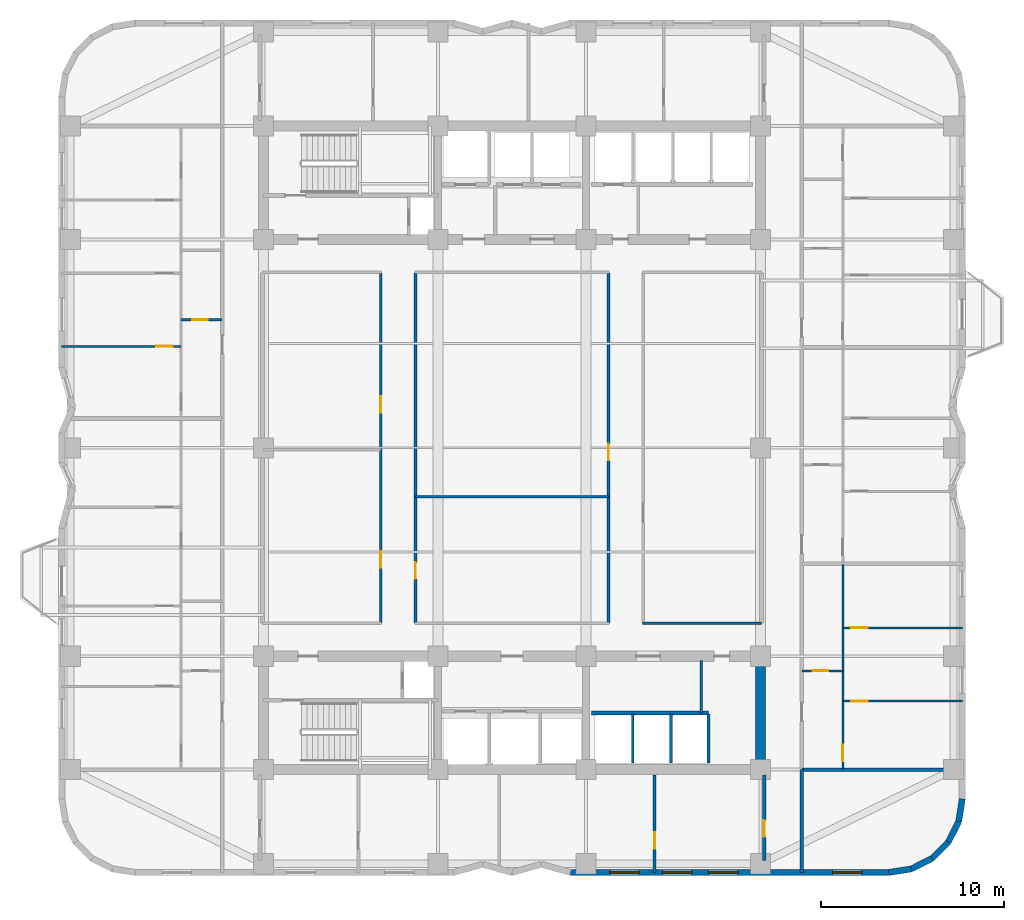
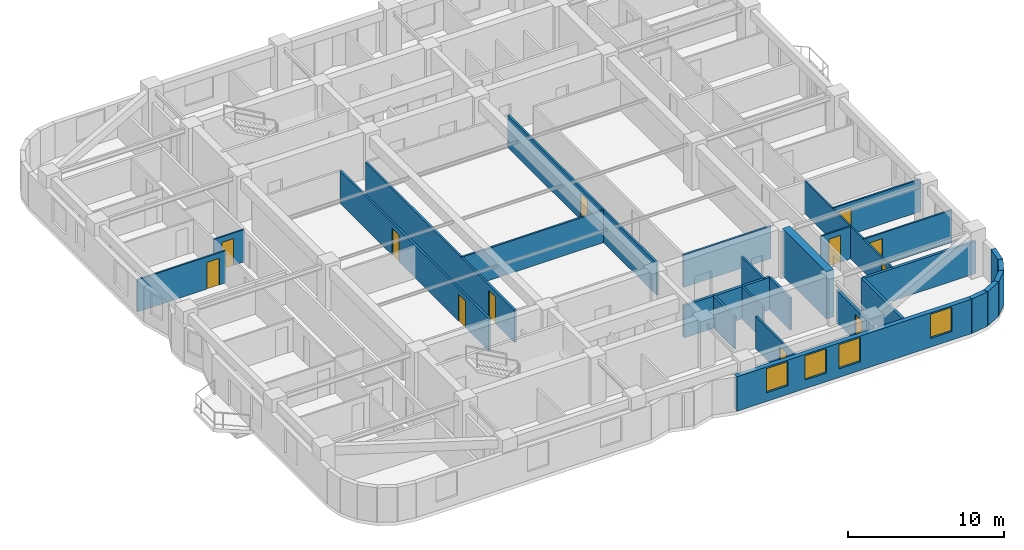
# One storey, part 4 of 9: 27 walls, 12 doors, 4 windows, 16 openings.
"""IFC4 building model written with IfcOpenShell, lengths in metres."""

from ifc_helpers import new_model, si_unit, direction, frame, frame_2d, origin, place, context, subcontext, project, spatial, rectangle, extrude, material, layer, layer_set, type_object, element, fill, save


model = new_model("IFC4")

# Units and contexts
model_context = context("Model", 3, precision=1e-05, world=origin(), true_north=direction((0.0, 1.0)))
body_context = subcontext(model_context, "Body", "Model", "MODEL_VIEW")
ifc_project = project(units=[si_unit("LENGTHUNIT", "METRE"), si_unit("AREAUNIT", "SQUARE_METRE"), si_unit("VOLUMEUNIT", "CUBIC_METRE"), si_unit("PLANEANGLEUNIT", "RADIAN"), si_unit("MASSUNIT", "GRAM", prefix="KILO")], contexts=[model_context])

# Site, building, storey
site_placement = place(None, origin())
site = spatial("IfcSite", under=ifc_project, at=site_placement, CompositionType="ELEMENT")
building_placement = place(site_placement, origin())
building = spatial("IfcBuilding", under=site, at=building_placement, Name="Svetorya Sky Lyceum", CompositionType="ELEMENT")
storey_placement = place(building_placement, frame((0.0, 0.0, 88.300048828125)))
storey = spatial("IfcBuildingStorey", under=building, at=storey_placement, Name="L21", CompositionType="ELEMENT", Elevation=88.300048828125)

# Wall
ifc_material_1 = material(Name="Concrete C60/75", Category="concrete")
ifc_layer_1 = layer(ifc_material_1, 0.550048828125)
ifc_layer_set_1 = layer_set([ifc_layer_1], Name="Concrete C60/75")
wall_type_1 = type_object("IfcWallType", Name="WL-CORE-550", PredefinedType="SHEAR", material=ifc_layer_set_1)
wall_1_placement = place(storey_placement, frame((52.800048828125, 10.875, 0.0), z_axis=(0.0, 0.0, 1.0), x_axis=(0.0, 1.0, 0.0)))
element("IfcWall", 1, at=wall_1_placement, inside=storey, type_object=wall_type_1, Name="L21 SC East Core Shear Wall", PredefinedType="SHEAR", context=body_context, shape_type="SweptSolid", body=[
    extrude(rectangle(XDim=5.64990234375, YDim=0.550048828125, at=frame_2d((2.824951171875, 0.0))), origin(), (0.0, 0.0, 1.0), 3.699951171875),
])

# Wall, openings, windows
ifc_material_2 = material(Name="Putilovo limestone rainscreen on autoclaved cellular masonry", Category="masonry")
ifc_layer_2 = layer(ifc_material_2, 0.340087890625)
ifc_layer_set_2 = layer_set([ifc_layer_2], Name="Putilovo limestone rainscreen on autoclaved cellular masonry")
wall_type_2 = type_object("IfcWallType", Name="WL-EXT-340", PredefinedType="SOLIDWALL", material=ifc_layer_set_2)
wall_2_placement = place(storey_placement, frame((42.39990234375, 4.969970703125, 0.0), z_axis=(0.0, 0.0, 1.0), x_axis=(1.0, 0.0, 0.0)))
wall_2 = element("IfcWall", 2, at=wall_2_placement, inside=storey, type_object=wall_type_2, Name="L21 Limestone Exterior Wall 11M", PredefinedType="SOLIDWALL", context=body_context, shape_type="SweptSolid", body=[
    extrude(rectangle(XDim=17.400146484375, YDim=0.340087890625, at=frame_2d((8.7001953125, 0.0))), origin(), (0.0, 0.0, 1.0), 2.699951171875),
])
opening_1_placement = place(wall_2_placement, frame((2.159912109375, 0.0, 0.679931640625)))
opening_1 = element("IfcOpeningElement", 3, at=opening_1_placement, cuts=wall_2, Name="Opening W-R4", PredefinedType="OPENING", context=body_context, shape_type="SweptSolid", body=[
    extrude(rectangle(XDim=1.60009765625, YDim=1.89990234375, at=frame_2d((0.800048828125, 0.949951171875))), frame((0.0, 0.179931640625, 0.0), z_axis=(0.0, -1.0, 0.0), x_axis=(1.0, 0.0, 0.0)), (0.0, 0.0, 1.0), 0.360107421875),
])
opening_2_placement = place(wall_2_placement, frame((5.030029296875, 0.0, 0.679931640625)))
opening_2 = element("IfcOpeningElement", 4, at=opening_2_placement, cuts=wall_2, Name="Opening W-R4", PredefinedType="OPENING", context=body_context, shape_type="SweptSolid", body=[
    extrude(rectangle(XDim=1.60009765625, YDim=1.89990234375, at=frame_2d((0.800048828125, 0.949951171875))), frame((0.0, 0.179931640625, 0.0), z_axis=(0.0, -1.0, 0.0), x_axis=(1.0, 0.0, 0.0)), (0.0, 0.0, 1.0), 0.360107421875),
])
opening_3_placement = place(wall_2_placement, frame((7.550048828125, 0.0, 0.679931640625)))
opening_3 = element("IfcOpeningElement", 5, at=opening_3_placement, cuts=wall_2, Name="Opening W-R4", PredefinedType="OPENING", context=body_context, shape_type="SweptSolid", body=[
    extrude(rectangle(XDim=1.60009765625, YDim=1.89990234375, at=frame_2d((0.800048828125, 0.949951171875))), frame((0.0, 0.179931640625, 0.0), z_axis=(0.0, -1.0, 0.0), x_axis=(1.0, 0.0, 0.0)), (0.0, 0.0, 1.0), 0.360107421875),
])
opening_4_placement = place(wall_2_placement, frame((14.340087890625, 0.0, 0.679931640625)))
opening_4 = element("IfcOpeningElement", 6, at=opening_4_placement, cuts=wall_2, Name="Opening W-R4", PredefinedType="OPENING", context=body_context, shape_type="SweptSolid", body=[
    extrude(rectangle(XDim=1.60009765625, YDim=1.89990234375, at=frame_2d((0.800048828125, 0.949951171875))), frame((0.0, 0.179931640625, 0.0), z_axis=(0.0, -1.0, 0.0), x_axis=(1.0, 0.0, 0.0)), (0.0, 0.0, 1.0), 0.360107421875),
])
ifc_material_3 = material(Name="Thermally broken aluminium frame with triple low-E glazing", Category="aluminium")
window_type = type_object("IfcWindowType", Name="WN-RES-160", PartitioningType="DOUBLE_PANEL_VERTICAL", PredefinedType="WINDOW", material=ifc_material_3)
window_1_placement = place(opening_1_placement, origin())
window_1 = element("IfcWindow", 7, at=window_1_placement, inside=storey, type_object=window_type, Name="L21 Facade Window W-R4.11M.1", OverallHeight=1.89990234375, OverallWidth=1.60009765625, PartitioningType="SINGLE_PANEL", PredefinedType="WINDOW", context=body_context, shape_type="SweptSolid", body=[
    extrude(rectangle(XDim=1.60009765625, YDim=1.89990234375, at=frame_2d((0.800048828125, 0.949951171875))), frame((0.0, 0.030029296875, 0.0), z_axis=(0.0, -1.0, 0.0), x_axis=(1.0, 0.0, 0.0)), (0.0, 0.0, 1.0), 0.06005859375),
])
fill(opening_1, window_1)
window_2_placement = place(opening_2_placement, origin())
window_2 = element("IfcWindow", 8, at=window_2_placement, inside=storey, type_object=window_type, Name="L21 Facade Window W-R4.11M.2", OverallHeight=1.89990234375, OverallWidth=1.60009765625, PartitioningType="SINGLE_PANEL", PredefinedType="WINDOW", context=body_context, shape_type="SweptSolid", body=[
    extrude(rectangle(XDim=1.60009765625, YDim=1.89990234375, at=frame_2d((0.800048828125, 0.949951171875))), frame((0.0, 0.030029296875, 0.0), z_axis=(0.0, -1.0, 0.0), x_axis=(1.0, 0.0, 0.0)), (0.0, 0.0, 1.0), 0.06005859375),
])
fill(opening_2, window_2)
window_3_placement = place(opening_3_placement, origin())
window_3 = element("IfcWindow", 9, at=window_3_placement, inside=storey, type_object=window_type, Name="L21 Facade Window W-R4.11M.3", OverallHeight=1.89990234375, OverallWidth=1.60009765625, PartitioningType="SINGLE_PANEL", PredefinedType="WINDOW", context=body_context, shape_type="SweptSolid", body=[
    extrude(rectangle(XDim=1.60009765625, YDim=1.89990234375, at=frame_2d((0.800048828125, 0.949951171875))), frame((0.0, 0.030029296875, 0.0), z_axis=(0.0, -1.0, 0.0), x_axis=(1.0, 0.0, 0.0)), (0.0, 0.0, 1.0), 0.06005859375),
])
fill(opening_3, window_3)
window_4_placement = place(opening_4_placement, origin())
window_4 = element("IfcWindow", 10, at=window_4_placement, inside=storey, type_object=window_type, Name="L21 Facade Window W-R4.11M.4", OverallHeight=1.89990234375, OverallWidth=1.60009765625, PartitioningType="SINGLE_PANEL", PredefinedType="WINDOW", context=body_context, shape_type="SweptSolid", body=[
    extrude(rectangle(XDim=1.60009765625, YDim=1.89990234375, at=frame_2d((0.800048828125, 0.949951171875))), frame((0.0, 0.030029296875, 0.0), z_axis=(0.0, -1.0, 0.0), x_axis=(1.0, 0.0, 0.0)), (0.0, 0.0, 1.0), 0.06005859375),
])
fill(opening_4, window_4)

# Walls
wall_3_placement = place(storey_placement, frame((59.800048828125, 4.969970703125, 0.0), z_axis=(0.0, 0.0, 1.0), x_axis=(0.987685918112, 0.15644975923, 0.0)))
element("IfcWall", 11, at=wall_3_placement, inside=storey, type_object=wall_type_2, Name="L21 Limestone Exterior Wall 12M", PredefinedType="SOLIDWALL", context=body_context, shape_type="SweptSolid", body=[
    extrude(rectangle(XDim=1.260986328125, YDim=0.340087890625, at=frame_2d((0.63037109375, 0.0))), origin(), (0.0, 0.0, 1.0), 2.699951171875),
])
for number, where, z_axis, x_axis, name in (
    (12, (61.04541015625, 5.167236328125, 0.0), (0.0, 0.0, 1.0), (0.890953769915, 0.454094020963, 0.0), "L21 Limestone Exterior Wall 13M"),
    (13, (62.168701171875, 5.73974609375, 0.0), (0.0, 0.0, 1.0), (0.707203598708, 0.707009950407, 0.0), "L21 Limestone Exterior Wall 14M"),
):
    element("IfcWall", number, at=place(storey_placement, frame(where, z_axis=z_axis, x_axis=x_axis)), inside=storey, type_object=wall_type_2, Name=name, PredefinedType="SOLIDWALL", context=body_context, shape_type="SweptSolid", body=[
        extrude(rectangle(XDim=1.2607421875, YDim=0.340087890625, at=frame_2d((0.63037109375, 0.0))), origin(), (0.0, 0.0, 1.0), 2.699951171875),
    ])
for number, where, z_axis, x_axis, name in (
    (14, (63.060302734375, 6.631103515625, 0.0), (0.0, 0.0, 1.0), (0.454015689056, 0.890993689142, 0.0), "L21 Limestone Exterior Wall 15M"),
    (15, (63.6328125, 7.754638671875, 0.0), (0.0, 0.0, 1.0), (0.15644975923, 0.987685918112, 0.0), "L21 Limestone Exterior Wall 16M"),
):
    element("IfcWall", number, at=place(storey_placement, frame(where, z_axis=z_axis, x_axis=x_axis)), inside=storey, type_object=wall_type_2, Name=name, PredefinedType="SOLIDWALL", context=body_context, shape_type="SweptSolid", body=[
        extrude(rectangle(XDim=1.260986328125, YDim=0.340087890625, at=frame_2d((0.63037109375, 0.0))), origin(), (0.0, 0.0, 1.0), 2.699951171875),
    ])

# Wall, opening, door
ifc_material_4 = material(Name="Twin-stud galvanized framing with double fireboard", Category="gypsum")
ifc_layer_3 = layer(ifc_material_4, 0.1201171875)
ifc_layer_set_3 = layer_set([ifc_layer_3], Name="Twin-stud galvanized framing with double fireboard")
wall_type_3 = type_object("IfcWallType", Name="WL-PART-120", PredefinedType="PARTITIONING", material=ifc_layer_set_3)
wall_4_placement = place(storey_placement, frame((21.10009765625, 35.199951171875, 0.0), z_axis=(0.0, 0.0, 1.0), x_axis=(1.0, 0.0, 0.0)))
wall_4 = element("IfcWall", 16, at=wall_4_placement, inside=storey, type_object=wall_type_3, Name="L21 Interior Partition W2-WH1", PredefinedType="PARTITIONING", context=body_context, shape_type="SweptSolid", body=[
    extrude(rectangle(XDim=2.25, YDim=0.1201171875, at=frame_2d((1.125, 0.0))), origin(), (0.0, 0.0, 1.0), 2.530029296875),
])
opening_5_placement = place(wall_4_placement, frame((0.60009765625, 0.0, 0.0)))
opening_5 = element("IfcOpeningElement", 17, at=opening_5_placement, cuts=wall_4, Name="Opening D-BT1", PredefinedType="OPENING", context=body_context, shape_type="SweptSolid", body=[
    extrude(rectangle(XDim=0.85009765625, YDim=2.10009765625, at=frame_2d((0.425048828125, 1.050048828125))), frame((0.0, 0.070068359375, 0.0), z_axis=(0.0, -1.0, 0.0), x_axis=(1.0, 0.0, 0.0)), (0.0, 0.0, 1.0), 0.14013671875),
])
ifc_material_5 = material(Name="Moisture-resistant laminate bathroom door")
door_type_1 = type_object("IfcDoorType", Name="DR-WET-850", OperationType="SINGLE_SWING_LEFT", PredefinedType="DOOR", material=ifc_material_5)
door_1_placement = place(opening_5_placement, origin())
door_1 = element("IfcDoor", 18, at=door_1_placement, inside=storey, type_object=door_type_1, Name="Apartment W2 Bathroom Door", OperationType="SINGLE_SWING_RIGHT", OverallHeight=2.10009765625, OverallWidth=0.85009765625, PredefinedType="DOOR", context=body_context, shape_type="SweptSolid", body=[
    extrude(rectangle(XDim=0.85009765625, YDim=2.10009765625, at=frame_2d((0.425048828125, 1.050048828125))), frame((0.0, 0.02490234375, 0.0), z_axis=(0.0, -1.0, 0.0), x_axis=(1.0, 0.0, 0.0)), (0.0, 0.0, 1.0), 0.050048828125),
])
fill(opening_5, door_1)

wall_5_placement = place(storey_placement, frame((14.570068359375, 33.75, 0.0), z_axis=(0.0, 0.0, 1.0), x_axis=(1.0, 0.0, 0.0)))
wall_5 = element("IfcWall", 19, at=wall_5_placement, inside=storey, type_object=wall_type_3, Name="L21 Interior Partition W2-WL1", PredefinedType="PARTITIONING", context=body_context, shape_type="SweptSolid", body=[
    extrude(rectangle(XDim=6.530029296875, YDim=0.1201171875, at=frame_2d((3.26513671875, 0.0))), origin(), (0.0, 0.0, 1.0), 2.530029296875),
])
opening_6_placement = place(wall_5_placement, frame((5.179931640625, 0.0, 0.0)))
opening_6 = element("IfcOpeningElement", 20, at=opening_6_placement, cuts=wall_5, Name="Opening D-RM1", PredefinedType="OPENING", context=body_context, shape_type="SweptSolid", body=[
    extrude(rectangle(XDim=0.89990234375, YDim=2.10009765625, at=frame_2d((0.449951171875, 1.050048828125))), frame((0.0, 0.070068359375, 0.0), z_axis=(0.0, -1.0, 0.0), x_axis=(1.0, 0.0, 0.0)), (0.0, 0.0, 1.0), 0.14013671875),
])
ifc_material_6 = material(Name="Lacquered birch veneer internal door")
door_type_2 = type_object("IfcDoorType", Name="DR-INT-900", OperationType="SINGLE_SWING_LEFT", PredefinedType="DOOR", material=ifc_material_6)
door_2_placement = place(opening_6_placement, origin())
door_2 = element("IfcDoor", 21, at=door_2_placement, inside=storey, type_object=door_type_2, Name="Apartment W2 Master Bedroom Door", OperationType="SINGLE_SWING_RIGHT", OverallHeight=2.10009765625, OverallWidth=0.89990234375, PredefinedType="DOOR", context=body_context, shape_type="SweptSolid", body=[
    extrude(rectangle(XDim=0.89990234375, YDim=2.10009765625, at=frame_2d((0.449951171875, 1.050048828125))), frame((0.0, 0.02490234375, 0.0), z_axis=(0.0, -1.0, 0.0), x_axis=(1.0, 0.0, 0.0)), (0.0, 0.0, 1.0), 0.050048828125),
])
fill(opening_6, door_2)

wall_6_placement = place(storey_placement, frame((55.050048828125, 16.0, 0.0), z_axis=(0.0, 0.0, 1.0), x_axis=(1.0, 0.0, 0.0)))
wall_6 = element("IfcWall", 22, at=wall_6_placement, inside=storey, type_object=wall_type_3, Name="L21 Interior Partition E1-WH1", PredefinedType="PARTITIONING", context=body_context, shape_type="SweptSolid", body=[
    extrude(rectangle(XDim=2.25, YDim=0.1201171875, at=frame_2d((1.125, 0.0))), origin(), (0.0, 0.0, 1.0), 2.530029296875),
])
opening_7_placement = place(wall_6_placement, frame((0.60009765625, 0.0, 0.0)))
opening_7 = element("IfcOpeningElement", 23, at=opening_7_placement, cuts=wall_6, Name="Opening D-BT1", PredefinedType="OPENING", context=body_context, shape_type="SweptSolid", body=[
    extrude(rectangle(XDim=0.85009765625, YDim=2.10009765625, at=frame_2d((0.425048828125, 1.050048828125))), frame((0.0, 0.070068359375, 0.0), z_axis=(0.0, -1.0, 0.0), x_axis=(1.0, 0.0, 0.0)), (0.0, 0.0, 1.0), 0.14013671875),
])
door_3_placement = place(opening_7_placement, origin())
door_3 = element("IfcDoor", 24, at=door_3_placement, inside=storey, type_object=door_type_1, Name="Apartment E1 Bathroom Door", OperationType="SINGLE_SWING_RIGHT", OverallHeight=2.10009765625, OverallWidth=0.85009765625, PredefinedType="DOOR", context=body_context, shape_type="SweptSolid", body=[
    extrude(rectangle(XDim=0.85009765625, YDim=2.10009765625, at=frame_2d((0.425048828125, 1.050048828125))), frame((0.0, 0.02490234375, 0.0), z_axis=(0.0, -1.0, 0.0), x_axis=(1.0, 0.0, 0.0)), (0.0, 0.0, 1.0), 0.050048828125),
])
fill(opening_7, door_3)

wall_7_placement = place(storey_placement, frame((57.300048828125, 14.35009765625, 0.0), z_axis=(0.0, 0.0, 1.0), x_axis=(1.0, 0.0, 0.0)))
wall_7 = element("IfcWall", 25, at=wall_7_placement, inside=storey, type_object=wall_type_3, Name="L21 Interior Partition E1-WL1", PredefinedType="PARTITIONING", context=body_context, shape_type="SweptSolid", body=[
    extrude(rectangle(XDim=6.530029296875, YDim=0.1201171875, at=frame_2d((3.26513671875, 0.0))), origin(), (0.0, 0.0, 1.0), 2.530029296875),
])
opening_8_placement = place(wall_7_placement, frame((0.449951171875, 0.0, 0.0)))
opening_8 = element("IfcOpeningElement", 26, at=opening_8_placement, cuts=wall_7, Name="Opening D-RM1", PredefinedType="OPENING", context=body_context, shape_type="SweptSolid", body=[
    extrude(rectangle(XDim=0.89990234375, YDim=2.10009765625, at=frame_2d((0.449951171875, 1.050048828125))), frame((0.0, 0.070068359375, 0.0), z_axis=(0.0, -1.0, 0.0), x_axis=(1.0, 0.0, 0.0)), (0.0, 0.0, 1.0), 0.14013671875),
])
door_4_placement = place(opening_8_placement, origin())
door_4 = element("IfcDoor", 27, at=door_4_placement, inside=storey, type_object=door_type_2, Name="Apartment E1 Master Bedroom Door", OperationType="SINGLE_SWING_RIGHT", OverallHeight=2.10009765625, OverallWidth=0.89990234375, PredefinedType="DOOR", context=body_context, shape_type="SweptSolid", body=[
    extrude(rectangle(XDim=0.89990234375, YDim=2.10009765625, at=frame_2d((0.449951171875, 1.050048828125))), frame((0.0, 0.02490234375, 0.0), z_axis=(0.0, -1.0, 0.0), x_axis=(1.0, 0.0, 0.0)), (0.0, 0.0, 1.0), 0.050048828125),
])
fill(opening_8, door_4)

wall_8_placement = place(storey_placement, frame((57.300048828125, 18.35009765625, 0.0), z_axis=(0.0, 0.0, 1.0), x_axis=(1.0, 0.0, 0.0)))
wall_8 = element("IfcWall", 28, at=wall_8_placement, inside=storey, type_object=wall_type_3, Name="L21 Interior Partition E1-WL2", PredefinedType="PARTITIONING", context=body_context, shape_type="SweptSolid", body=[
    extrude(rectangle(XDim=6.530029296875, YDim=0.1201171875, at=frame_2d((3.26513671875, 0.0))), origin(), (0.0, 0.0, 1.0), 2.530029296875),
])
opening_9_placement = place(wall_8_placement, frame((0.449951171875, 0.0, 0.0)))
opening_9 = element("IfcOpeningElement", 29, at=opening_9_placement, cuts=wall_8, Name="Opening D-RM1", PredefinedType="OPENING", context=body_context, shape_type="SweptSolid", body=[
    extrude(rectangle(XDim=0.89990234375, YDim=2.10009765625, at=frame_2d((0.449951171875, 1.050048828125))), frame((0.0, 0.070068359375, 0.0), z_axis=(0.0, -1.0, 0.0), x_axis=(1.0, 0.0, 0.0)), (0.0, 0.0, 1.0), 0.14013671875),
])
door_5_placement = place(opening_9_placement, origin())
door_5 = element("IfcDoor", 30, at=door_5_placement, inside=storey, type_object=door_type_2, Name="Apartment E1 Bedroom 2 Door", OperationType="SINGLE_SWING_LEFT", OverallHeight=2.10009765625, OverallWidth=0.89990234375, PredefinedType="DOOR", context=body_context, shape_type="SweptSolid", body=[
    extrude(rectangle(XDim=0.89990234375, YDim=2.10009765625, at=frame_2d((0.449951171875, 1.050048828125))), frame((0.0, 0.02490234375, 0.0), z_axis=(0.0, -1.0, 0.0), x_axis=(1.0, 0.0, 0.0)), (0.0, 0.0, 1.0), 0.050048828125),
])
fill(opening_9, door_5)

wall_9_placement = place(storey_placement, frame((57.300048828125, 10.639892578125, 0.0), z_axis=(0.0, 0.0, 1.0), x_axis=(0.0, 1.0, 0.0)))
wall_9 = element("IfcWall", 31, at=wall_9_placement, inside=storey, type_object=wall_type_3, Name="L21 Interior Partition E1-WV", PredefinedType="PARTITIONING", context=body_context, shape_type="SweptSolid", body=[
    extrude(rectangle(XDim=11.18408203125, YDim=0.1201171875, at=frame_2d((5.592041015625, 0.0))), origin(), (0.0, 0.0, 1.0), 2.530029296875),
])
opening_10_placement = place(wall_9_placement, frame((0.409912109375, 0.0, 0.0)))
opening_10 = element("IfcOpeningElement", 32, at=opening_10_placement, cuts=wall_9, Name="Opening D-RM1", PredefinedType="OPENING", context=body_context, shape_type="SweptSolid", body=[
    extrude(rectangle(XDim=0.89990234375, YDim=2.10009765625, at=frame_2d((0.449951171875, 1.050048828125))), frame((0.0, 0.070068359375, 0.0), z_axis=(0.0, -1.0, 0.0), x_axis=(1.0, 0.0, 0.0)), (0.0, 0.0, 1.0), 0.14013671875),
])
door_6_placement = place(opening_10_placement, origin())
door_6 = element("IfcDoor", 33, at=door_6_placement, inside=storey, type_object=door_type_2, Name="Apartment E1 Living Door", OperationType="SINGLE_SWING_LEFT", OverallHeight=2.10009765625, OverallWidth=0.89990234375, PredefinedType="DOOR", context=body_context, shape_type="SweptSolid", body=[
    extrude(rectangle(XDim=0.89990234375, YDim=2.10009765625, at=frame_2d((0.449951171875, 1.050048828125))), frame((0.0, 0.02490234375, 0.0), z_axis=(0.0, -1.0, 0.0), x_axis=(1.0, 0.0, 0.0)), (0.0, 0.0, 1.0), 0.050048828125),
])
fill(opening_10, door_6)

# Walls
ifc_material_7 = material(Name="Twin-stud galvanized framing with acoustic board", Category="gypsum")
ifc_layer_4 = layer(ifc_material_7, 0.135009765625)
ifc_layer_set_4 = layer_set([ifc_layer_4], Name="Twin-stud galvanized framing with acoustic board")
wall_type_4 = type_object("IfcWallType", Name="WL-PART-135", PredefinedType="PARTITIONING", material=ifc_layer_set_4)
wall_10_placement = place(storey_placement, frame((33.919921875, 25.5205078125, 0.0), z_axis=(0.0, 0.0, 1.0), x_axis=(1.0, 0.0, 0.0)))
element("IfcWall", 34, at=wall_10_placement, inside=storey, type_object=wall_type_4, Name="L21 Interior Partition ISL-HMIDE", PredefinedType="PARTITIONING", context=body_context, shape_type="SweptSolid", body=[
    extrude(rectangle(XDim=10.56005859375, YDim=0.135009765625, at=frame_2d((5.280029296875, 0.0))), origin(), (0.0, 0.0, 1.0), 2.530029296875),
])
ifc_material_8 = material(Name="Autoclaved cellular masonry blockwork with acoustic render", Category="masonry")
ifc_layer_5 = layer(ifc_material_8, 0.14990234375)
ifc_layer_set_5 = layer_set([ifc_layer_5], Name="Autoclaved cellular masonry blockwork with acoustic render")
wall_type_5 = type_object("IfcWallType", Name="WL-PART-150", PredefinedType="PARTITIONING", material=ifc_layer_set_5)
for number, where, z_axis, x_axis, name in (
    (35, (45.800048828125, 10.949951171875, 0.0), (0.0, 0.0, 1.0), (0.0, 1.0, 0.0), "L21 Interior Partition SC-PL-DIV1"),
    (36, (47.89990234375, 10.949951171875, 0.0), (0.0, 0.0, 1.0), (0.0, 1.0, 0.0), "L21 Interior Partition SC-PL-DIV2"),
    (37, (49.949951171875, 10.949951171875, 0.0), (0.0, 0.0, 1.0), (0.0, 1.0, 0.0), "L21 Interior Partition SC-PL-END"),
):
    element("IfcWall", number, at=place(storey_placement, frame(where, z_axis=z_axis, x_axis=x_axis)), inside=storey, type_object=wall_type_5, Name=name, PredefinedType="PARTITIONING", context=body_context, shape_type="SweptSolid", body=[
        extrude(rectangle(XDim=2.699951171875, YDim=0.14990234375, at=frame_2d((1.35009765625, 0.0))), origin(), (0.0, 0.0, 1.0), 2.530029296875),
    ])
wall_11_placement = place(storey_placement, frame((49.550048828125, 13.699951171875, 0.0), z_axis=(0.0, 0.0, 1.0), x_axis=(0.0, 1.0, 0.0)))
element("IfcWall", 38, at=wall_11_placement, inside=storey, type_object=wall_type_5, Name="L21 Interior Partition SC-AUX-V", PredefinedType="PARTITIONING", context=body_context, shape_type="SweptSolid", body=[
    extrude(rectangle(XDim=2.880126953125, YDim=0.14990234375, at=frame_2d((1.43994140625, 0.0))), origin(), (0.0, 0.0, 1.0), 2.530029296875),
])
wall_12_placement = place(storey_placement, frame((46.35009765625, 18.60009765625, 0.0), z_axis=(0.0, 0.0, 1.0), x_axis=(1.0, 0.0, 0.0)))
element("IfcWall", 39, at=wall_12_placement, inside=storey, type_object=wall_type_5, Name="L21 Interior Partition RL-CS-E", PredefinedType="PARTITIONING", context=body_context, shape_type="SweptSolid", body=[
    extrude(rectangle(XDim=6.5, YDim=0.14990234375, at=frame_2d((3.25, 0.0))), origin(), (0.0, 0.0, 1.0), 2.530029296875),
])

# Wall, openings, doors
wall_13_placement = place(storey_placement, frame((32.02001953125, 18.6298828125, 0.0), z_axis=(0.0, 0.0, 1.0), x_axis=(0.0, 1.0, 0.0)))
wall_13 = element("IfcWall", 40, at=wall_13_placement, inside=storey, type_object=wall_type_5, Name="L21 Interior Partition ISL-WW", PredefinedType="PARTITIONING", context=body_context, shape_type="SweptSolid", body=[
    extrude(rectangle(XDim=19.14013671875, YDim=0.14990234375, at=frame_2d((9.570068359375, 0.0))), origin(), (0.0, 0.0, 1.0), 2.530029296875),
])
opening_11_placement = place(wall_13_placement, frame((3.0, 0.0, 0.0)))
opening_11 = element("IfcOpeningElement", 41, at=opening_11_placement, cuts=wall_13, Name="Opening D-RM1", PredefinedType="OPENING", context=body_context, shape_type="SweptSolid", body=[
    extrude(rectangle(XDim=0.89990234375, YDim=2.10009765625, at=frame_2d((0.449951171875, 1.050048828125))), frame((0.0, 0.0849609375, 0.0), z_axis=(0.0, -1.0, 0.0), x_axis=(1.0, 0.0, 0.0)), (0.0, 0.0, 1.0), 0.169921875),
])
opening_12_placement = place(wall_13_placement, frame((11.5, 0.0, 0.0)))
opening_12 = element("IfcOpeningElement", 42, at=opening_12_placement, cuts=wall_13, Name="Opening D-RM1", PredefinedType="OPENING", context=body_context, shape_type="SweptSolid", body=[
    extrude(rectangle(XDim=0.89990234375, YDim=2.10009765625, at=frame_2d((0.449951171875, 1.050048828125))), frame((0.0, 0.0849609375, 0.0), z_axis=(0.0, -1.0, 0.0), x_axis=(1.0, 0.0, 0.0)), (0.0, 0.0, 1.0), 0.169921875),
])
door_7_placement = place(opening_11_placement, origin())
door_7 = element("IfcDoor", 43, at=door_7_placement, inside=storey, type_object=door_type_2, Name="L21 Reading Door", OperationType="SINGLE_SWING_RIGHT", OverallHeight=2.10009765625, OverallWidth=0.89990234375, PredefinedType="DOOR", context=body_context, shape_type="SweptSolid", body=[
    extrude(rectangle(XDim=0.89990234375, YDim=2.10009765625, at=frame_2d((0.449951171875, 1.050048828125))), frame((0.0, 0.02490234375, 0.0), z_axis=(0.0, -1.0, 0.0), x_axis=(1.0, 0.0, 0.0)), (0.0, 0.0, 1.0), 0.050048828125),
])
fill(opening_11, door_7)
door_8_placement = place(opening_12_placement, origin())
door_8 = element("IfcDoor", 44, at=door_8_placement, inside=storey, type_object=door_type_2, Name="L21 Music Door", OperationType="SINGLE_SWING_LEFT", OverallHeight=2.10009765625, OverallWidth=0.89990234375, PredefinedType="DOOR", context=body_context, shape_type="SweptSolid", body=[
    extrude(rectangle(XDim=0.89990234375, YDim=2.10009765625, at=frame_2d((0.449951171875, 1.050048828125))), frame((0.0, 0.02490234375, 0.0), z_axis=(0.0, -1.0, 0.0), x_axis=(1.0, 0.0, 0.0)), (0.0, 0.0, 1.0), 0.050048828125),
])
fill(opening_12, door_8)

# Wall, opening, door
wall_14_placement = place(storey_placement, frame((33.919921875, 18.6298828125, 0.0), z_axis=(0.0, 0.0, 1.0), x_axis=(0.0, 1.0, 0.0)))
wall_14 = element("IfcWall", 45, at=wall_14_placement, inside=storey, type_object=wall_type_5, Name="L21 Interior Partition ISL-WE", PredefinedType="PARTITIONING", context=body_context, shape_type="SweptSolid", body=[
    extrude(rectangle(XDim=19.14013671875, YDim=0.14990234375, at=frame_2d((9.570068359375, 0.0))), origin(), (0.0, 0.0, 1.0), 2.530029296875),
])
opening_13_placement = place(wall_14_placement, frame((2.39990234375, 0.0, 0.0)))
opening_13 = element("IfcOpeningElement", 46, at=opening_13_placement, cuts=wall_14, Name="Opening D-RM1", PredefinedType="OPENING", context=body_context, shape_type="SweptSolid", body=[
    extrude(rectangle(XDim=0.89990234375, YDim=2.10009765625, at=frame_2d((0.449951171875, 1.050048828125))), frame((0.0, 0.0849609375, 0.0), z_axis=(0.0, -1.0, 0.0), x_axis=(1.0, 0.0, 0.0)), (0.0, 0.0, 1.0), 0.169921875),
])
door_9_placement = place(opening_13_placement, origin())
door_9 = element("IfcDoor", 47, at=door_9_placement, inside=storey, type_object=door_type_2, Name="L21 Office Door", OperationType="SINGLE_SWING_LEFT", OverallHeight=2.10009765625, OverallWidth=0.89990234375, PredefinedType="DOOR", context=body_context, shape_type="SweptSolid", body=[
    extrude(rectangle(XDim=0.89990234375, YDim=2.10009765625, at=frame_2d((0.449951171875, 1.050048828125))), frame((0.0, 0.02490234375, 0.0), z_axis=(0.0, -1.0, 0.0), x_axis=(1.0, 0.0, 0.0)), (0.0, 0.0, 1.0), 0.050048828125),
])
fill(opening_13, door_9)

wall_15_placement = place(storey_placement, frame((44.47998046875, 18.6298828125, 0.0), z_axis=(0.0, 0.0, 1.0), x_axis=(0.0, 1.0, 0.0)))
wall_15 = element("IfcWall", 48, at=wall_15_placement, inside=storey, type_object=wall_type_5, Name="L21 Interior Partition ISL-EW", PredefinedType="PARTITIONING", context=body_context, shape_type="SweptSolid", body=[
    extrude(rectangle(XDim=19.14013671875, YDim=0.14990234375, at=frame_2d((9.570068359375, 0.0))), origin(), (0.0, 0.0, 1.0), 2.530029296875),
])
opening_14_placement = place(wall_15_placement, frame((8.890380859375, 0.0, 0.0)))
opening_14 = element("IfcOpeningElement", 49, at=opening_14_placement, cuts=wall_15, Name="Opening D-RM1", PredefinedType="OPENING", context=body_context, shape_type="SweptSolid", body=[
    extrude(rectangle(XDim=0.89990234375, YDim=2.10009765625, at=frame_2d((0.449951171875, 1.050048828125))), frame((0.0, 0.0849609375, 0.0), z_axis=(0.0, -1.0, 0.0), x_axis=(1.0, 0.0, 0.0)), (0.0, 0.0, 1.0), 0.169921875),
])
door_10_placement = place(opening_14_placement, origin())
door_10 = element("IfcDoor", 50, at=door_10_placement, inside=storey, type_object=door_type_2, Name="L21 Meeting Door", OperationType="SINGLE_SWING_RIGHT", OverallHeight=2.10009765625, OverallWidth=0.89990234375, PredefinedType="DOOR", context=body_context, shape_type="SweptSolid", body=[
    extrude(rectangle(XDim=0.89990234375, YDim=2.10009765625, at=frame_2d((0.449951171875, 1.050048828125))), frame((0.0, 0.02490234375, 0.0), z_axis=(0.0, -1.0, 0.0), x_axis=(1.0, 0.0, 0.0)), (0.0, 0.0, 1.0), 0.050048828125),
])
fill(opening_14, door_10)

wall_16_placement = place(storey_placement, frame((47.0, 4.969970703125, 0.0), z_axis=(0.0, 0.0, 1.0), x_axis=(0.0, 1.0, 0.0)))
wall_16 = element("IfcWall", 51, at=wall_16_placement, inside=storey, type_object=wall_type_5, Name="L21 Interior Partition S4-D3", PredefinedType="PARTITIONING", context=body_context, shape_type="SweptSolid", body=[
    extrude(rectangle(XDim=5.330078125, YDim=0.14990234375, at=frame_2d((2.6650390625, 0.0))), origin(), (0.0, 0.0, 1.0), 2.530029296875),
])
opening_15_placement = place(wall_16_placement, frame((1.300048828125, 0.0, 0.0)))
opening_15 = element("IfcOpeningElement", 52, at=opening_15_placement, cuts=wall_16, Name="Opening D-RM1", PredefinedType="OPENING", context=body_context, shape_type="SweptSolid", body=[
    extrude(rectangle(XDim=0.89990234375, YDim=2.10009765625, at=frame_2d((0.449951171875, 1.050048828125))), frame((0.0, 0.0849609375, 0.0), z_axis=(0.0, -1.0, 0.0), x_axis=(1.0, 0.0, 0.0)), (0.0, 0.0, 1.0), 0.169921875),
])
door_11_placement = place(opening_15_placement, origin())
door_11 = element("IfcDoor", 53, at=door_11_placement, inside=storey, type_object=door_type_2, Name="L21 South Suite Door 3", OperationType="SINGLE_SWING_LEFT", OverallHeight=2.10009765625, OverallWidth=0.89990234375, PredefinedType="DOOR", context=body_context, shape_type="SweptSolid", body=[
    extrude(rectangle(XDim=0.89990234375, YDim=2.10009765625, at=frame_2d((0.449951171875, 1.050048828125))), frame((0.0, 0.02490234375, 0.0), z_axis=(0.0, -1.0, 0.0), x_axis=(1.0, 0.0, 0.0)), (0.0, 0.0, 1.0), 0.050048828125),
])
fill(opening_15, door_11)

# Walls
ifc_material_9 = material(Name="Autoclaved cellular masonry blockwork with gypsum plaster", Category="masonry")
ifc_layer_6 = layer(ifc_material_9, 0.199951171875)
ifc_layer_set_6 = layer_set([ifc_layer_6], Name="Autoclaved cellular masonry blockwork with gypsum plaster")
wall_type_6 = type_object("IfcWallType", Name="WL-PART-200", PredefinedType="PARTITIONING", material=ifc_layer_set_6)
wall_17_placement = place(storey_placement, frame((43.550048828125, 13.699951171875, 0.0), z_axis=(0.0, 0.0, 1.0), x_axis=(1.0, 0.0, 0.0)))
element("IfcWall", 54, at=wall_17_placement, inside=storey, type_object=wall_type_6, Name="L21 Interior Partition SC-PLW", PredefinedType="PARTITIONING", context=body_context, shape_type="SweptSolid", body=[
    extrude(rectangle(XDim=6.39990234375, YDim=0.199951171875, at=frame_2d((3.199951171875, 0.0))), origin(), (0.0, 0.0, 1.0), 2.530029296875),
])
wall_18_placement = place(storey_placement, frame((55.050048828125, 10.60009765625, 0.0), z_axis=(0.0, 0.0, 1.0), x_axis=(1.0, 0.0, 0.0)))
element("IfcWall", 55, at=wall_18_placement, inside=storey, type_object=wall_type_6, Name="L21 Interior Partition E-CAP-S", PredefinedType="PARTITIONING", context=body_context, shape_type="SweptSolid", body=[
    extrude(rectangle(XDim=8.35986328125, YDim=0.199951171875, at=frame_2d((4.179931640625, 0.0))), origin(), (0.0, 0.0, 1.0), 2.530029296875),
])
wall_19_placement = place(storey_placement, frame((55.050048828125, 4.969970703125, 0.0), z_axis=(0.0, 0.0, 1.0), x_axis=(0.0, 1.0, 0.0)))
element("IfcWall", 56, at=wall_19_placement, inside=storey, type_object=wall_type_6, Name="L21 Interior Partition EC-SE-END", PredefinedType="PARTITIONING", context=body_context, shape_type="SweptSolid", body=[
    extrude(rectangle(XDim=5.630126953125, YDim=0.199951171875, at=frame_2d((2.81494140625, 0.0))), origin(), (0.0, 0.0, 1.0), 2.530029296875),
])

# Wall, opening, door
wall_20_placement = place(storey_placement, frame((53.0, 5.6201171875, 0.0), z_axis=(0.0, 0.0, 1.0), x_axis=(0.0, 1.0, 0.0)))
wall_20 = element("IfcWall", 57, at=wall_20_placement, inside=storey, type_object=wall_type_6, Name="L21 Interior Partition S4-EE", PredefinedType="PARTITIONING", context=body_context, shape_type="SweptSolid", body=[
    extrude(rectangle(XDim=4.679931640625, YDim=0.199951171875, at=frame_2d((2.33984375, 0.0))), origin(), (0.0, 0.0, 1.0), 2.530029296875),
])
opening_16_placement = place(wall_20_placement, frame((1.300048828125, 0.0, 0.0)))
opening_16 = element("IfcOpeningElement", 58, at=opening_16_placement, cuts=wall_20, Name="Opening D-RM1", PredefinedType="OPENING", context=body_context, shape_type="SweptSolid", body=[
    extrude(rectangle(XDim=0.89990234375, YDim=2.10009765625, at=frame_2d((0.449951171875, 1.050048828125))), frame((0.0, 0.10986328125, 0.0), z_axis=(0.0, -1.0, 0.0), x_axis=(1.0, 0.0, 0.0)), (0.0, 0.0, 1.0), 0.219970703125),
])
door_12_placement = place(opening_16_placement, origin())
door_12 = element("IfcDoor", 59, at=door_12_placement, inside=storey, type_object=door_type_2, Name="L21 SE Meeting Door", OperationType="SINGLE_SWING_RIGHT", OverallHeight=2.10009765625, OverallWidth=0.89990234375, PredefinedType="DOOR", context=body_context, shape_type="SweptSolid", body=[
    extrude(rectangle(XDim=0.89990234375, YDim=2.10009765625, at=frame_2d((0.449951171875, 1.050048828125))), frame((0.0, 0.02490234375, 0.0), z_axis=(0.0, -1.0, 0.0), x_axis=(1.0, 0.0, 0.0)), (0.0, 0.0, 1.0), 0.050048828125),
])
fill(opening_16, door_12)

save(model, "model.ifc")
